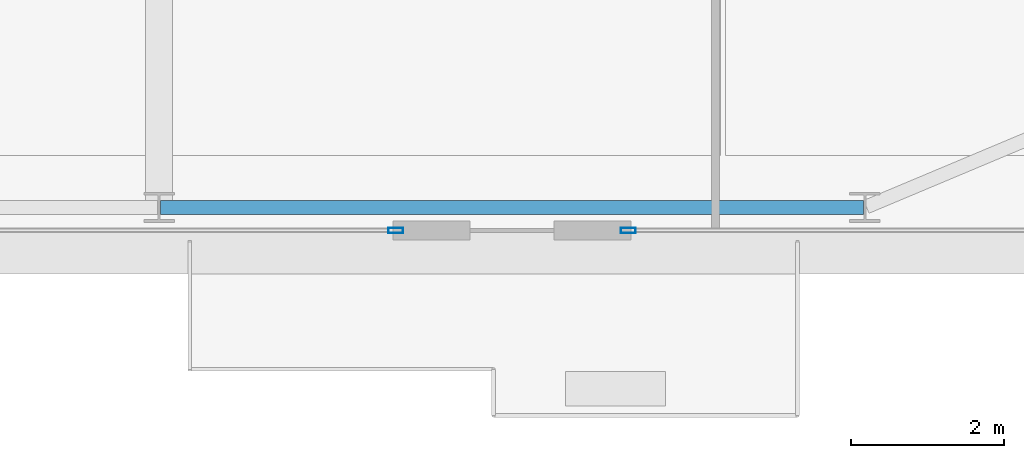
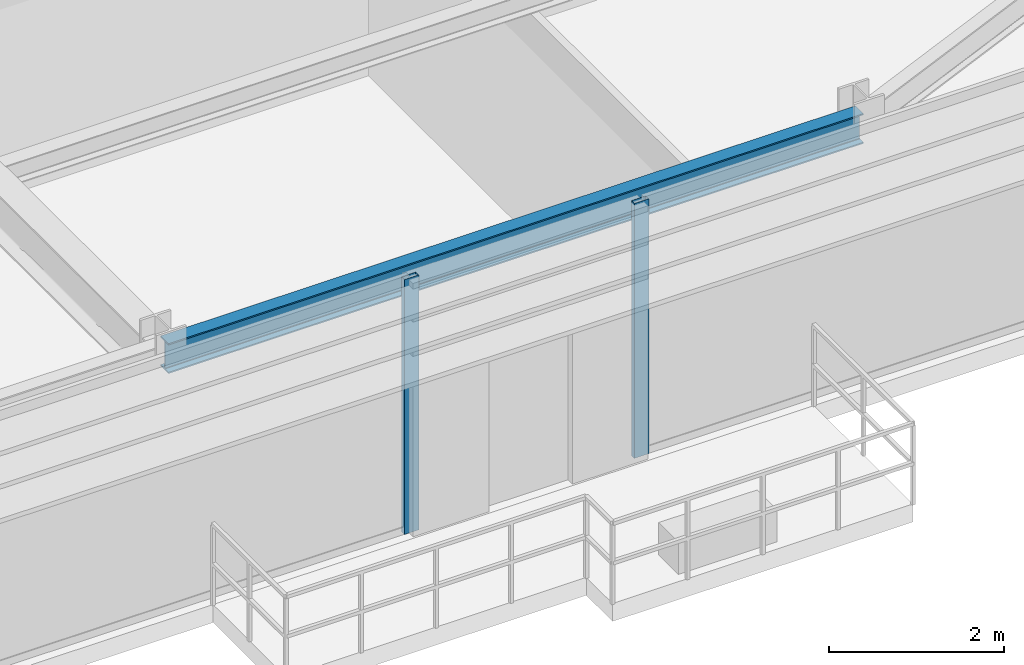
# One storey, part 12 of 37: 2 members, 1 beam, 2 elements without a shape of their own.
"""IFC4 building model written with IfcOpenShell, lengths in metres."""

from ifc_helpers import new_model, si_unit, direction, frame, origin, origin_2d, place, context, subcontext, project, spatial, hollow_rectangle, i_section, extrude, source, transform, mapped, material, layer, layer_set, material_profile, profile_set, type_object, type_shapes, element, aggregate, save


model = new_model("IFC4")

# Units and contexts
model_context = context("Model", 3, precision=1e-05, world=origin(), true_north=direction((0.0, 1.0)))
body_context = subcontext(model_context, "Body", "Model", "MODEL_VIEW")
ifc_project = project(units=[si_unit("LENGTHUNIT", "METRE"), si_unit("AREAUNIT", "SQUARE_METRE"), si_unit("VOLUMEUNIT", "CUBIC_METRE"), si_unit("PLANEANGLEUNIT", "RADIAN"), si_unit("MASSUNIT", "GRAM", prefix="KILO")], contexts=[model_context])

# Site, building, storey
site_placement = place(None, origin())
site = spatial("IfcSite", under=ifc_project, at=site_placement, CompositionType="ELEMENT")
building_placement = place(site_placement, origin())
building = spatial("IfcBuilding", under=site, at=building_placement, Name="Varnel Quay Broadcast Tower", CompositionType="ELEMENT")
storey_placement = place(building_placement, frame((0.0, 0.0, 106.800048828125)))
storey = spatial("IfcBuildingStorey", under=building, at=storey_placement, Name="L25", CompositionType="ELEMENT", Elevation=106.800048828125)

# Beam
ifc_material_1 = material(Name="Structural Steel CSA G40.21 350W", Category="steel")
ifc_material_profile_1 = material_profile(ifc_material_1, i_section(OverallWidth=0.180908203125, OverallDepth=0.4169921875, WebThickness=0.010986328125, FlangeThickness=0.018310546875, FilletRadius=0.011962890625, at=origin_2d()), Name="W410X85")
ifc_profile_set_1 = profile_set([ifc_material_profile_1], Name="Structural Steel CSA G40.21 350W")
beam_type = type_object("IfcBeamType", Name="Beam_W410X85", PredefinedType="SPANDREL", material=ifc_profile_set_1)
shared_shape_1 = source(origin(), body_context, "Body", "SweptSolid", [
    extrude(i_section(OverallWidth=0.180908203125, OverallDepth=0.4169921875, WebThickness=0.010986328125, FlangeThickness=0.018310546875, FilletRadius=0.011962890625, at=origin_2d()), origin(), (0.0, 0.0, 1.0), 9.159912109375),
])
type_shapes(beam_type, [shared_shape_1])
beam_placement = place(storey_placement, frame((43.219970703125, 4.64990234375, 3.341552734375), z_axis=(1.0, 0.0, 0.0), x_axis=(0.0, 1.0, 0.0)))
element("IfcBeam", 1, at=beam_placement, inside=storey, type_object=beam_type, Name="L25 South Spandrel TC-S4-TC-S5", PredefinedType="SPANDREL", context=body_context, shape_type="MappedRepresentation", body=[
    mapped(shared_shape_1, transform((0.0, 0.0, 0.0), x_axis=(1.0, 0.0, 0.0), y_axis=(0.0, 1.0, 0.0), z_axis=(0.0, 0.0, 1.0), scale=1.0)),
])

# Curtain wall, member
ifc_material_2 = material(Name="Anodised Bronze Aluminium 6063-T6", Category="aluminium")
ifc_layer = layer(ifc_material_2, 0.18994140625, Name="Anodised Bronze Aluminium 6063-T6")
ifc_layer_set = layer_set([ifc_layer], Name="Anodised Bronze Aluminium 6063-T6")
curtain_wall_type = type_object("IfcCurtainWallType", Name="CW_LowerTower", PredefinedType="NOTDEFINED", material=ifc_layer_set)
curtain_wall_1_placement = place(storey_placement, origin())
curtain_wall_1 = element("IfcCurtainWall", 2, at=curtain_wall_1_placement, inside=storey, type_object=curtain_wall_type, Name="L25 South Unitised Curtain Wall 2", PredefinedType="NOTDEFINED")
ifc_material_profile_2 = material_profile(ifc_material_2, hollow_rectangle(XDim=0.070068359375, YDim=0.18994140625, WallThickness=0.00390625, at=origin_2d()), Name="ALU70X190X4")
ifc_profile_set_2 = profile_set([ifc_material_profile_2], Name="Anodised Bronze Aluminium 6063-T6")
member_type = type_object("IfcMemberType", Name="Mull_CWS-02", PredefinedType="MULLION", material=ifc_profile_set_2)
shared_shape_2 = source(origin(), body_context, "Body", "SweptSolid", [
    extrude(hollow_rectangle(XDim=0.070068359375, YDim=0.18994140625, WallThickness=0.00390625, at=origin_2d()), origin(), (0.0, 0.0, 1.0), 3.550048828125),
])
type_shapes(member_type, [shared_shape_2])
member_1_placement = place(storey_placement, frame((46.284912109375, 4.35009765625, 0.0), z_axis=(0.0, 0.0, 1.0), x_axis=(0.0, 1.0, 0.0)))
member_1 = element("IfcMember", 3, at=member_1_placement, type_object=member_type, Name="CWS-02 mullion 3", PredefinedType="MULLION", context=body_context, shape_type="MappedRepresentation", body=[
    mapped(shared_shape_2, transform((0.0, 0.0, 0.0), x_axis=(1.0, 0.0, 0.0), y_axis=(0.0, 1.0, 0.0), z_axis=(0.0, 0.0, 1.0), scale=1.0)),
])
aggregate(curtain_wall_1, [member_1])

curtain_wall_2_placement = place(storey_placement, origin())
curtain_wall_2 = element("IfcCurtainWall", 4, at=curtain_wall_2_placement, inside=storey, type_object=curtain_wall_type, Name="L25 South Unitised Curtain Wall 3", PredefinedType="NOTDEFINED")
member_2_placement = place(storey_placement, frame((49.31494140625, 4.35009765625, 0.0), z_axis=(0.0, 0.0, 1.0), x_axis=(0.0, 1.0, 0.0)))
member_2 = element("IfcMember", 5, at=member_2_placement, type_object=member_type, Name="CWS-02 mullion 1", PredefinedType="MULLION", context=body_context, shape_type="MappedRepresentation", body=[
    mapped(shared_shape_2, transform((0.0, 0.0, 0.0), x_axis=(1.0, 0.0, 0.0), y_axis=(0.0, 1.0, 0.0), z_axis=(0.0, 0.0, 1.0), scale=1.0)),
])
aggregate(curtain_wall_2, [member_2])

save(model, "model.ifc")
